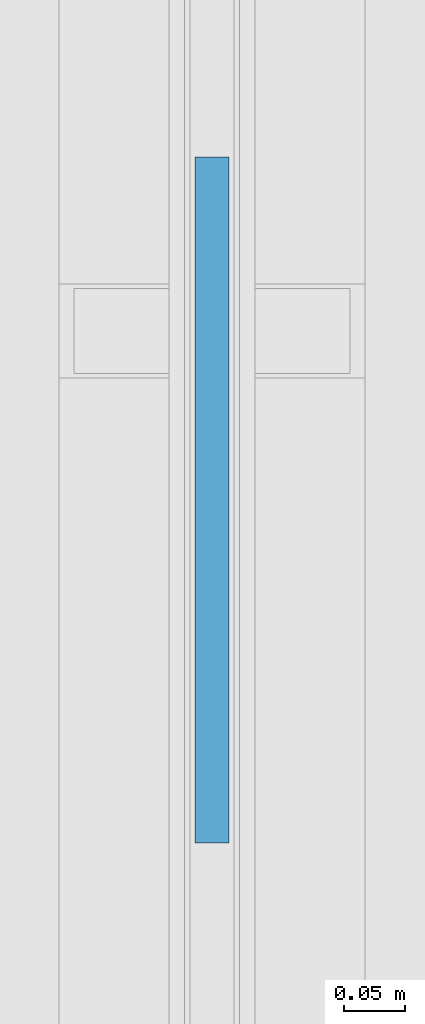
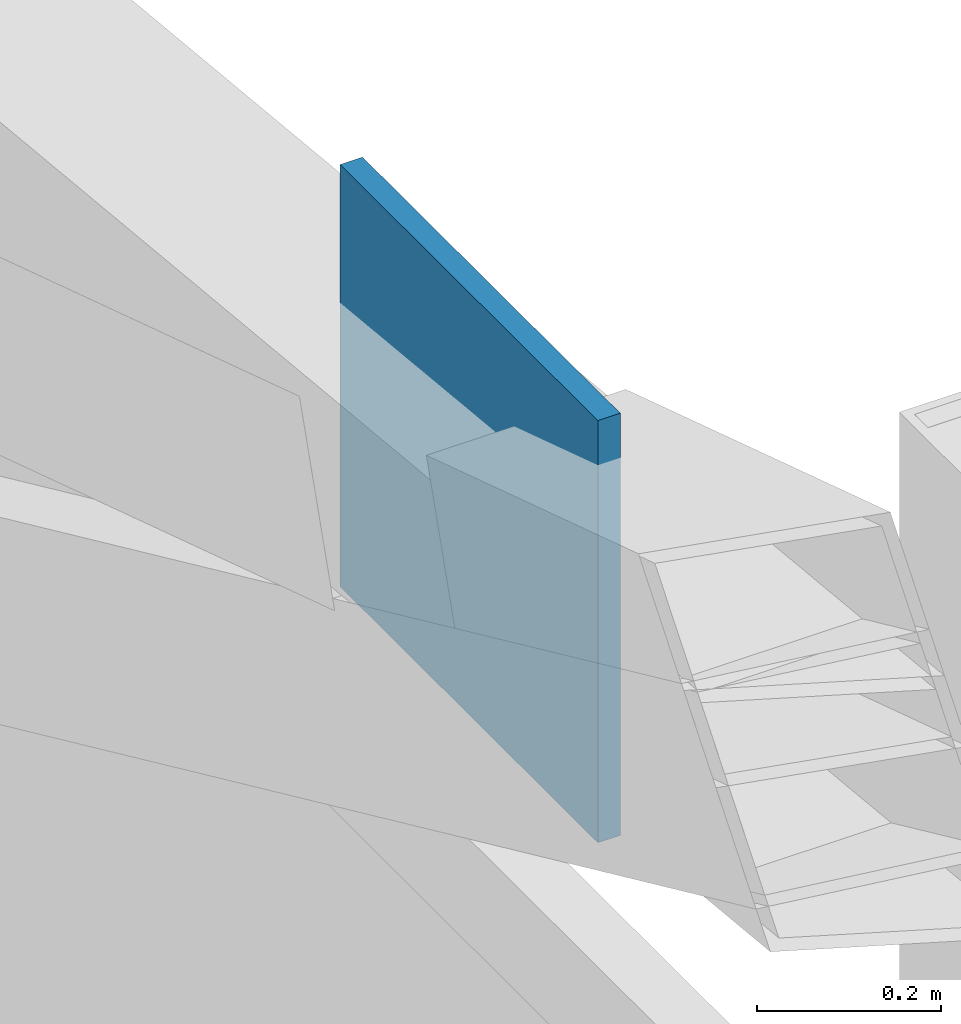
# One storey, part 147 of 220: 1 plate.
"""IFC4 building model written with IfcOpenShell, lengths in metres."""

from ifc_helpers import new_model, si_unit, direction, frame, origin, origin_2d, place, context, subcontext, project, spatial, rectangle, extrude, material, layer, layer_set, type_object, element, save


model = new_model("IFC4")

# Units and contexts
model_context = context("Model", 3, precision=1e-05, world=origin(), true_north=direction((0.0, 1.0)))
body_context = subcontext(model_context, "Body", "Model", "MODEL_VIEW")
ifc_project = project(units=[si_unit("LENGTHUNIT", "METRE"), si_unit("AREAUNIT", "SQUARE_METRE"), si_unit("VOLUMEUNIT", "CUBIC_METRE"), si_unit("PLANEANGLEUNIT", "RADIAN"), si_unit("MASSUNIT", "GRAM", prefix="KILO")], contexts=[model_context])

# Site, building, storey
site_placement = place(None, origin())
site = spatial("IfcSite", under=ifc_project, at=site_placement, CompositionType="ELEMENT")
building_placement = place(site_placement, origin())
building = spatial("IfcBuilding", under=site, at=building_placement, Name="Cendralis Lancet Convention Centre", CompositionType="ELEMENT")
storey_placement = place(building_placement, frame((0.0, 0.0, 5.39990234375)))
storey = spatial("IfcBuildingStorey", under=building, at=storey_placement, Name="L01", CompositionType="ELEMENT", Elevation=5.39990234375)

# Plate
ifc_material = material(Name="Steel S355", Category="steel")
ifc_layer = layer(ifc_material, 0.028076171875, Name="Steel S355")
ifc_layer_set = layer_set([ifc_layer], Name="Steel S355")
plate_type = type_object("IfcPlateType", Name="STR-PL-GP28B", PredefinedType="USERDEFINED", material=ifc_layer_set)
plate_placement = place(storey_placement, frame((122.39990234375, 134.121337890625, 6.9853515625), z_axis=(0.0, 0.0, 1.0), x_axis=(0.0, 1.0, 0.0)))
element("IfcPlate", 1, at=plate_placement, inside=storey, type_object=plate_type, Name="Gable X-Brace Crossing Gusset Node Plate GP-28B 122-122", ObjectType="GUSSET PLATE", PredefinedType="USERDEFINED", context=body_context, shape_type="SweptSolid", body=[
    extrude(rectangle(XDim=0.56005859375, YDim=0.028076171875, at=origin_2d()), origin(), (0.0, 0.0, 1.0), 0.56005859375),
])

save(model, "model.ifc")
